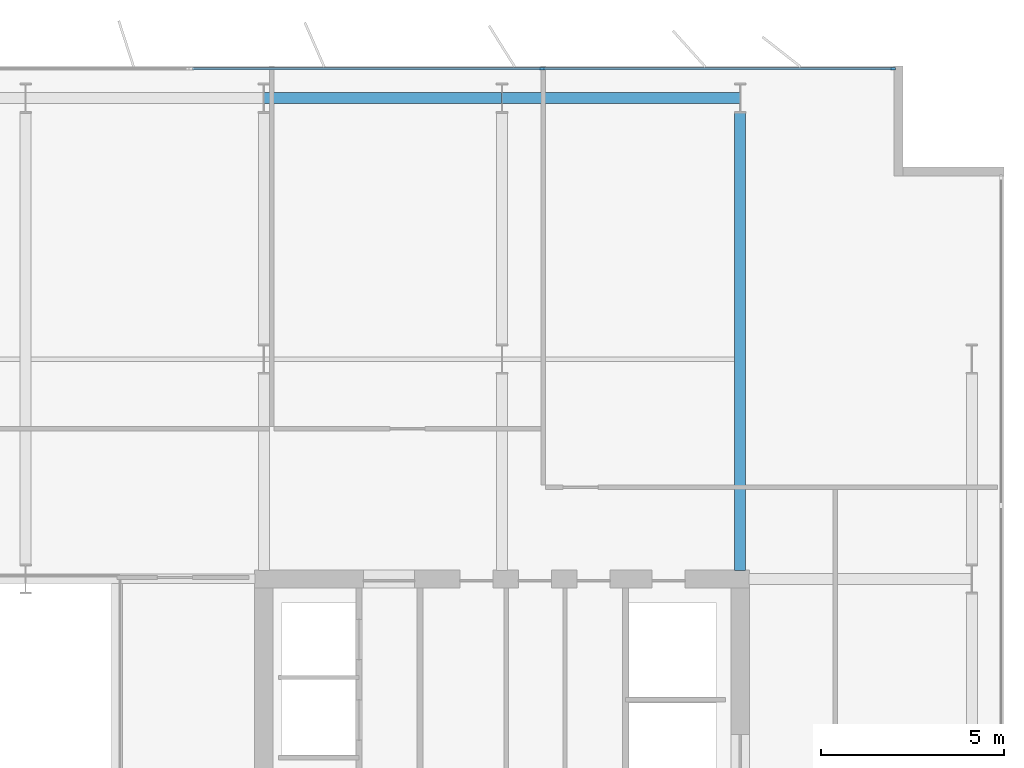
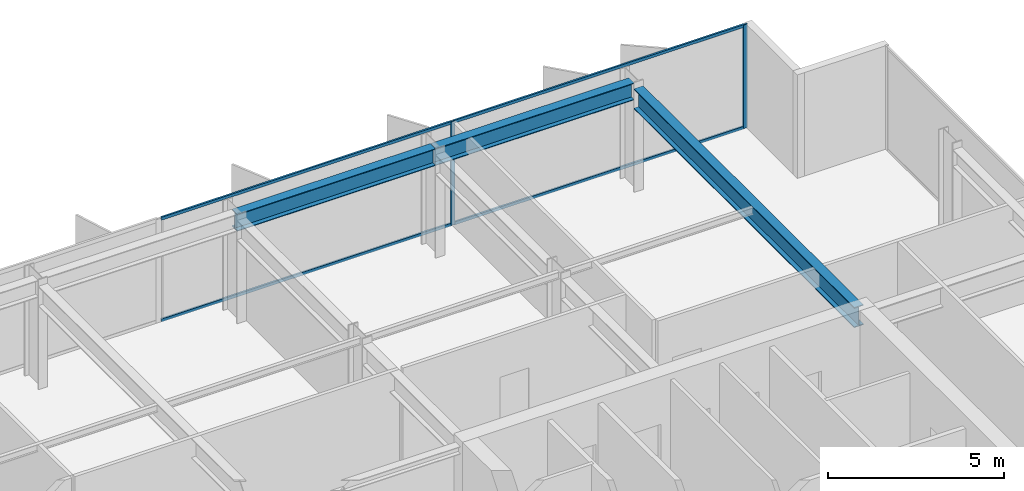
# One storey, part 13 of 23: 6 members, 3 beams, 1 element without a shape of its own.
"""IFC4 building model written with IfcOpenShell, lengths in metres."""

from ifc_helpers import new_model, si_unit, direction, frame, origin, origin_2d, place, context, subcontext, project, spatial, rectangle, i_section, extrude, material, layer, layer_set, material_profile, profile_set, type_object, element, aggregate, save


model = new_model("IFC4")

# Units and contexts
model_context = context("Model", 3, precision=1e-05, world=origin(), true_north=direction((0.0, 1.0)))
body_context = subcontext(model_context, "Body", "Model", "MODEL_VIEW")
ifc_project = project(units=[si_unit("LENGTHUNIT", "METRE"), si_unit("AREAUNIT", "SQUARE_METRE"), si_unit("VOLUMEUNIT", "CUBIC_METRE"), si_unit("PLANEANGLEUNIT", "RADIAN"), si_unit("MASSUNIT", "GRAM", prefix="KILO")], contexts=[model_context])

# Site, building, storey
site_placement = place(None, origin())
site = spatial("IfcSite", under=ifc_project, at=site_placement, CompositionType="ELEMENT")
building_placement = place(site_placement, origin())
building = spatial("IfcBuilding", under=site, at=building_placement, Name="Putna Gate Headquarters", CompositionType="ELEMENT")
storey_placement = place(building_placement, frame((0.0, 0.0, 221.39990234375)))
storey = spatial("IfcBuildingStorey", under=building, at=storey_placement, Name="L55", CompositionType="ELEMENT", Elevation=221.39990234375)

# Beams
ifc_material_1 = material(Name="Steel S355J2", Category="steel")
ifc_material_profile_1 = material_profile(ifc_material_1, i_section(OverallWidth=0.300048828125, OverallDepth=0.699951171875, WebThickness=0.01708984375, FlangeThickness=0.031982421875, at=origin_2d()), Name="Steel S355J2")
ifc_profile_set_1 = profile_set([ifc_material_profile_1], Name="Steel S355J2")
beam_type_1 = type_object("IfcBeamType", Name="BM-GIRD-B-HEB700", PredefinedType="USERDEFINED", material=ifc_profile_set_1)
beam_placement = place(storey_placement, frame((65.0, 33.235107421875, 3.22998046875), z_axis=(0.0, 1.0, 0.0), x_axis=(-1.0, 0.0, 0.0)))
element("IfcBeam", 1, at=beam_placement, inside=storey, type_object=beam_type_1, Name="L55 North Primary Girder X65", ObjectType="GIRDER", PredefinedType="USERDEFINED", context=body_context, shape_type="SweptSolid", body=[
    extrude(i_section(OverallWidth=0.300048828125, OverallDepth=0.699951171875, WebThickness=0.01708984375, FlangeThickness=0.031982421875, at=origin_2d()), origin(), (0.0, 0.0, 1.0), 12.489990234375),
])
ifc_material_profile_2 = material_profile(ifc_material_1, i_section(OverallWidth=0.300048828125, OverallDepth=0.590087890625, WebThickness=0.012939453125, FlangeThickness=0.02490234375, at=origin_2d()), Name="Steel S355J2")
ifc_profile_set_2 = profile_set([ifc_material_profile_2], Name="Steel S355J2")
beam_type_2 = type_object("IfcBeamType", Name="BM-SPAN-Z4-HEA600", PredefinedType="SPANDREL", material=ifc_profile_set_2)
for number, where, z_axis, x_axis, name in (
    (2, (52.006103515625, 46.1201171875, 3.28515625), (1.0, 0.0, 0.0), (0.0, 1.0, 0.0), "L55 N Perimeter Spandrel 7"),
    (3, (58.506103515625, 46.1201171875, 3.28515625), (1.0, 0.0, 0.0), (0.0, 1.0, 0.0), "L55 N Perimeter Spandrel 8"),
):
    element("IfcBeam", number, at=place(storey_placement, frame(where, z_axis=z_axis, x_axis=x_axis)), inside=storey, type_object=beam_type_2, Name=name, PredefinedType="SPANDREL", context=body_context, shape_type="SweptSolid", body=[
        extrude(i_section(OverallWidth=0.300048828125, OverallDepth=0.590087890625, WebThickness=0.012939453125, FlangeThickness=0.02490234375, at=origin_2d()), origin(), (0.0, 0.0, 1.0), 6.48779296875),
    ])

# Curtain wall, members
ifc_material_2 = material(Name="Anodised bronze aluminium curtain wall", Category="aluminium")
ifc_layer = layer(ifc_material_2, 0.139892578125)
ifc_layer_set = layer_set([ifc_layer], Name="Anodised bronze aluminium curtain wall")
curtain_wall_type = type_object("IfcCurtainWallType", Name="CW-SYS-Z4", PredefinedType="USERDEFINED", material=ifc_layer_set)
curtain_wall_placement = place(storey_placement, origin())
curtain_wall = element("IfcCurtainWall", 4, at=curtain_wall_placement, inside=storey, type_object=curtain_wall_type, Name="L55 North East Curtain Wall", ObjectType="STICK CURTAIN WALL", PredefinedType="USERDEFINED")
ifc_material_3 = material(Name="Anodised bronze aluminium EN AW-6060", Category="aluminium")
ifc_material_profile_3 = material_profile(ifc_material_3, rectangle(XDim=0.06005859375, YDim=0.139892578125, at=origin_2d()), Name="Anodised bronze aluminium EN AW-6060")
ifc_profile_set_3 = profile_set([ifc_material_profile_3], Name="Anodised bronze aluminium EN AW-6060")
member_type_1 = type_object("IfcMemberType", Name="MULL-CWM-4", PredefinedType="MULLION", material=ifc_profile_set_3)
member_1_placement = place(storey_placement, frame((59.60009765625, 46.919921875, 0.0), z_axis=(0.0, 0.0, 1.0), x_axis=(0.0, 1.0, 0.0)))
member_1 = element("IfcMember", 5, at=member_1_placement, type_object=member_type_1, Name="CWS-4 mullion 2", PredefinedType="MULLION", context=body_context, shape_type="SweptSolid", body=[
    extrude(rectangle(XDim=0.06005859375, YDim=0.139892578125, at=origin_2d()), origin(), (0.0, 0.0, 1.0), 3.580078125),
])
member_2_placement = place(storey_placement, frame((69.169921875, 46.919921875, 0.0), z_axis=(0.0, 0.0, 1.0), x_axis=(0.0, 1.0, 0.0)))
member_2 = element("IfcMember", 6, at=member_2_placement, type_object=member_type_1, Name="CWS-4 mullion 3", PredefinedType="MULLION", context=body_context, shape_type="SweptSolid", body=[
    extrude(rectangle(XDim=0.06005859375, YDim=0.139892578125, at=origin_2d()), origin(), (0.0, 0.0, 1.0), 3.580078125),
])
ifc_material_profile_4 = material_profile(ifc_material_3, rectangle(XDim=0.06005859375, YDim=0.10009765625, at=origin_2d()), Name="Anodised bronze aluminium EN AW-6060")
ifc_profile_set_4 = profile_set([ifc_material_profile_4], Name="Anodised bronze aluminium EN AW-6060")
member_type_2 = type_object("IfcMemberType", Name="TRAN-CWT-4", PredefinedType="USERDEFINED", material=ifc_profile_set_4)
member_3_placement = place(storey_placement, frame((50.06005859375, 46.919921875, 0.030029296875), z_axis=(1.0, 0.0, 0.0), x_axis=(0.0, 1.0, 0.0)))
member_3 = element("IfcMember", 7, at=member_3_placement, type_object=member_type_2, Name="CWS-4 transom 1.1", ObjectType="TRANSOM", PredefinedType="USERDEFINED", context=body_context, shape_type="SweptSolid", body=[
    extrude(rectangle(XDim=0.06005859375, YDim=0.10009765625, at=origin_2d()), origin(), (0.0, 0.0, 1.0), 9.510009765625),
])
member_4_placement = place(storey_placement, frame((50.06005859375, 46.919921875, 3.550048828125), z_axis=(1.0, 0.0, 0.0), x_axis=(0.0, 1.0, 0.0)))
member_4 = element("IfcMember", 8, at=member_4_placement, type_object=member_type_2, Name="CWS-4 transom 1.2", ObjectType="TRANSOM", PredefinedType="USERDEFINED", context=body_context, shape_type="SweptSolid", body=[
    extrude(rectangle(XDim=0.06005859375, YDim=0.10009765625, at=origin_2d()), origin(), (0.0, 0.0, 1.0), 9.510009765625),
])
member_5_placement = place(storey_placement, frame((59.6298828125, 46.919921875, 0.030029296875), z_axis=(1.0, 0.0, 0.0), x_axis=(0.0, 1.0, 0.0)))
member_5 = element("IfcMember", 9, at=member_5_placement, type_object=member_type_2, Name="CWS-4 transom 2.1", ObjectType="TRANSOM", PredefinedType="USERDEFINED", context=body_context, shape_type="SweptSolid", body=[
    extrude(rectangle(XDim=0.06005859375, YDim=0.10009765625, at=origin_2d()), origin(), (0.0, 0.0, 1.0), 9.510009765625),
])
member_6_placement = place(storey_placement, frame((59.6298828125, 46.919921875, 3.550048828125), z_axis=(1.0, 0.0, 0.0), x_axis=(0.0, 1.0, 0.0)))
member_6 = element("IfcMember", 10, at=member_6_placement, type_object=member_type_2, Name="CWS-4 transom 2.2", ObjectType="TRANSOM", PredefinedType="USERDEFINED", context=body_context, shape_type="SweptSolid", body=[
    extrude(rectangle(XDim=0.06005859375, YDim=0.10009765625, at=origin_2d()), origin(), (0.0, 0.0, 1.0), 9.510009765625),
])
aggregate(curtain_wall, [member_1, member_2, member_3, member_4, member_5, member_6])

save(model, "model.ifc")
